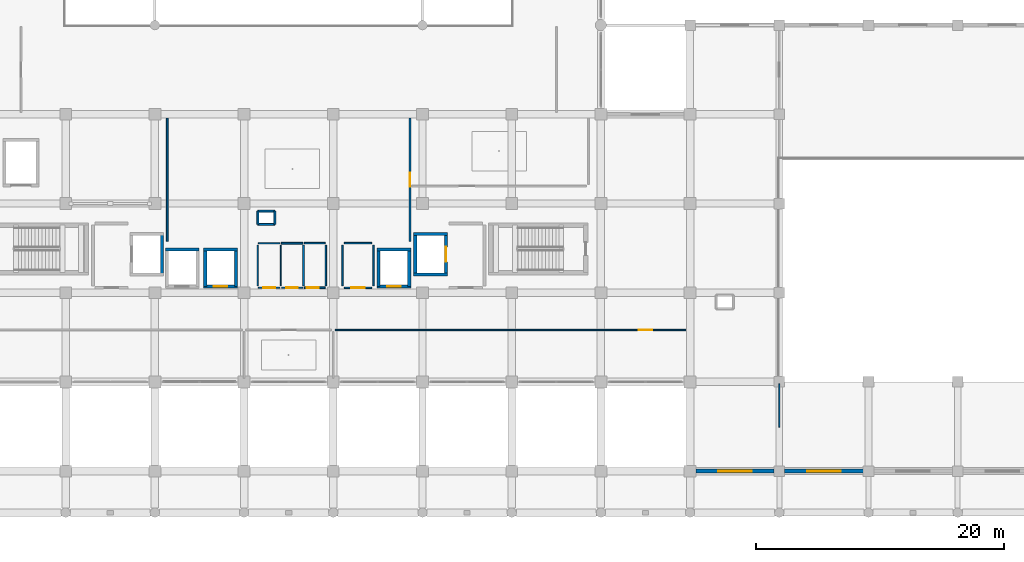
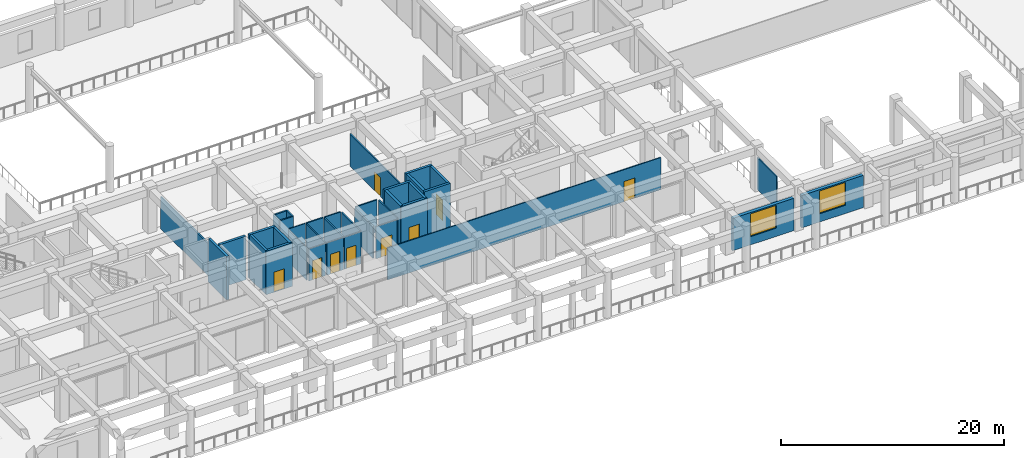
# One storey, part 31 of 54: 38 walls, 9 doors, 2 windows, 11 openings.
"""IFC4 building model written with IfcOpenShell, lengths in metres."""

import ifcopenshell
import ifcopenshell.guid

model = None  # the IFC model being written
_history = None  # IfcOwnerHistory: only IFC2X3 demands one
_inside = {}  # id of a spatial element -> (the spatial element, [elements in it])
_under = {}  # id of a project, library or spatial element -> (it, [spatial elements below it])
_declared = {}  # id of a project -> (the project, [libraries it declares])
_typed = {}  # id of a type object -> (the type object, [elements of that type])
_made_of = {}  # id of a material, layer set ... -> (it, [elements and type objects made of it])


def new_model(schema):
    """Start an empty IFC model of exactly this schema.

    Asked for "IFC4X3", IfcOpenShell would pick the latest addendum, in which some entities
    have other attributes; the version numbers below select the first issue.
    IFC2X3 requires an IfcOwnerHistory on every rooted entity: one is made here for all.
    """
    global model, _history
    if schema == "IFC4X3":
        model = ifcopenshell.file(schema_version=(4, 3, 0, 0))
    else:
        model = ifcopenshell.file(schema=schema)
    _inside.clear()
    _under.clear()
    _declared.clear()
    _typed.clear()
    _made_of.clear()
    _history = None
    if model.schema == "IFC2X3":
        org = make("IfcOrganization", Name="unknown")
        user = make(
            "IfcPersonAndOrganization",
            ThePerson=make("IfcPerson", FamilyName="unknown"),
            TheOrganization=org,
        )
        app = make(
            "IfcApplication",
            ApplicationDeveloper=org,
            Version="unknown",
            ApplicationFullName="unknown",
            ApplicationIdentifier="unknown",
        )
        _history = make(
            "IfcOwnerHistory",
            OwningUser=user,
            OwningApplication=app,
            ChangeAction="ADDED",
            CreationDate=0,
        )
    return model


def make(cls, **values):
    """One entity of the class cls with the attributes given. An attribute that is None is left unset."""
    return model.create_entity(
        cls, **{name: value for name, value in values.items() if value is not None}
    )


def rooted(cls, **values):
    """An entity with a GlobalId (a new one), such as an element, a storey or a relation."""
    return make(cls, GlobalId=ifcopenshell.guid.new(), OwnerHistory=_history, **values)


def si_unit(unit_type, name, prefix=None):
    """IfcSIUnit, for example si_unit("LENGTHUNIT", "METRE", prefix="MILLI")."""
    return make("IfcSIUnit", UnitType=unit_type, Prefix=prefix, Name=name)


def assignment(units):
    """IfcUnitAssignment: the units of a project."""
    return None if units is None else make("IfcUnitAssignment", Units=units)


def point(xyz):
    """IfcCartesianPoint."""
    return None if xyz is None else make("IfcCartesianPoint", Coordinates=xyz)


def direction(xyz):
    """IfcDirection."""
    return None if xyz is None else make("IfcDirection", DirectionRatios=xyz)


def frame(location, z_axis=None, x_axis=None):
    """IfcAxis2Placement3D, a coordinate frame: its origin and axes. An axis left out is left unset."""
    return make(
        "IfcAxis2Placement3D",
        Location=point(location),
        Axis=direction(z_axis),
        RefDirection=direction(x_axis),
    )


def frame_2d(location, x_axis=None):
    """IfcAxis2Placement2D, a coordinate frame in the plane: its origin and x axis."""
    return make(
        "IfcAxis2Placement2D", Location=point(location), RefDirection=direction(x_axis)
    )


def origin():
    """The frame at (0, 0, 0) with its axes left unset."""
    return frame((0.0, 0.0, 0.0))


def place(relative_to, where):
    """IfcLocalPlacement: puts the frame where relative to a parent placement (None: the world)."""
    return make(
        "IfcLocalPlacement", PlacementRelTo=relative_to, RelativePlacement=where
    )


def context(
    kind, dimensions, precision=None, world=None, true_north=None, identifier=None
):
    """IfcGeometricRepresentationContext, for example the 3D "Model" context."""
    return make(
        "IfcGeometricRepresentationContext",
        ContextIdentifier=identifier,
        ContextType=kind,
        CoordinateSpaceDimension=dimensions,
        Precision=precision,
        WorldCoordinateSystem=world,
        TrueNorth=true_north,
    )


def subcontext(parent, identifier, kind, view, scale=None):
    """IfcGeometricRepresentationSubContext, for example "Body" below "Model"."""
    return make(
        "IfcGeometricRepresentationSubContext",
        ContextIdentifier=identifier,
        ContextType=kind,
        ParentContext=parent,
        TargetScale=scale,
        TargetView=view,
    )


def project(units=None, contexts=None):
    """IfcProject with its units and contexts."""
    return rooted(
        "IfcProject",
        Name="project",
        RepresentationContexts=contexts,
        UnitsInContext=assignment(units),
    )


def spatial(cls, under=None, at=None, **own):
    """A site, building, storey or space (cls), placed at a placement, below another one or the project."""
    s = rooted(cls, ObjectPlacement=at, **own)
    if under is not None:
        _under.setdefault(under.id(), (under, []))[1].append(s)
    return s


def profile(cls, at=None, kind="AREA", **sizes):
    """A parametric profile (cls). Its sizes go by their IFC names, for example OverallWidth=200.0."""
    return make(cls, ProfileType=kind, Position=at, **sizes)


def rectangle(**sizes):
    """IfcRectangleProfileDef."""
    return profile("IfcRectangleProfileDef", **sizes)


def extrude(swept, where, along, depth):
    """IfcExtrudedAreaSolid: the profile swept, set in the frame where, extruded along a direction by depth."""
    return make(
        "IfcExtrudedAreaSolid",
        SweptArea=swept,
        Position=where,
        ExtrudedDirection=direction(along),
        Depth=depth,
    )


def shape(context_of_items, identifier, shape_type, items):
    """IfcShapeRepresentation: the items that make up one representation, for example the "Body"."""
    return make(
        "IfcShapeRepresentation",
        ContextOfItems=context_of_items,
        RepresentationIdentifier=identifier,
        RepresentationType=shape_type,
        Items=items,
    )


def material(Name=None, Category=None):
    """IfcMaterial."""
    return make("IfcMaterial", Name=Name, Category=Category)


def layer(
    of_material, thickness, ventilated=None, Name=None, Category=None, Priority=None
):
    """IfcMaterialLayer: one layer of a wall or slab, of a material (None: an air gap)."""
    return make(
        "IfcMaterialLayer",
        Material=of_material,
        LayerThickness=thickness,
        IsVentilated=ventilated,
        Name=Name,
        Category=Category,
        Priority=Priority,
    )


def layer_set(layers, Name=None):
    """IfcMaterialLayerSet."""
    return make("IfcMaterialLayerSet", MaterialLayers=layers, LayerSetName=Name)


def made_of(thing, what):
    """Note that an element or type object is made of a material, layer set ...; save() writes the relation."""
    if what is not None:
        _made_of.setdefault(what.id(), (what, []))[1].append(thing)
    return thing


def type_object(cls, material=None, **own):
    """A type object (cls), such as IfcWallType, which elements share."""
    return made_of(rooted(cls, **own), material)


def element(
    cls,
    number,
    at=None,
    inside=None,
    cuts=None,
    type_object=None,
    material=None,
    context=None,
    identifier="Body",
    shape_type=None,
    held_by="IfcProductDefinitionShape",
    body=None,
    shapes=None,
    **own,
):
    """One element of the class cls, such as IfcWall. Its Tag is "e" and its number.

    at: its placement. inside: the storey or other place that contains it. cuts: it is an
    opening in that element (IfcRelVoidsElement). A single representation is given by context,
    identifier, shape_type and body (its items); several are given by shapes. held_by: the class
    of the entity that holds the representations. save() writes the other relations.
    """
    e = rooted(cls, Tag="e%d" % number, ObjectPlacement=at, **own)
    if body is not None:
        shapes = [shape(context, identifier, shape_type, body)]
    if shapes is not None:
        e.Representation = make(held_by, Representations=shapes)
    if inside is not None:
        _inside.setdefault(inside.id(), (inside, []))[1].append(e)
    if cuts is not None:
        rooted(
            "IfcRelVoidsElement", RelatingBuildingElement=cuts, RelatedOpeningElement=e
        )
    if type_object is not None:
        _typed.setdefault(type_object.id(), (type_object, []))[1].append(e)
    return made_of(e, material)


def fill(opening, filler):
    """IfcRelFillsElement: the door or window that sits in an opening."""
    return rooted(
        "IfcRelFillsElement",
        RelatingOpeningElement=opening,
        RelatedBuildingElement=filler,
    )


def aggregate(whole, parts):
    """IfcRelAggregates: a whole, such as a stair, and the parts it consists of."""
    return rooted("IfcRelAggregates", RelatingObject=whole, RelatedObjects=parts)


def save(model, path):
    """Write the relations noted so far, then the file.

    IfcRelAggregates (storeys below a building ...), IfcRelContainedInSpatialStructure (elements
    in a storey), IfcRelDefinesByType, IfcRelAssociatesMaterial and IfcRelDeclares: one each for
    every whole, place, type object, material and project.
    """
    for whole, parts in _under.values():
        aggregate(whole, parts)
    for where, things in _inside.values():
        rooted(
            "IfcRelContainedInSpatialStructure",
            RelatedElements=things,
            RelatingStructure=where,
        )
    for kind, things in _typed.values():
        rooted("IfcRelDefinesByType", RelatedObjects=things, RelatingType=kind)
    for what, things in _made_of.values():
        rooted("IfcRelAssociatesMaterial", RelatedObjects=things, RelatingMaterial=what)
    for by, libraries in _declared.values():
        rooted("IfcRelDeclares", RelatingContext=by, RelatedDefinitions=libraries)
    model.write(path)


model = new_model("IFC4")

# Units and contexts
model_context = context("Model", 3, precision=1e-05, world=origin(), true_north=direction((0.0, 1.0)))
body_context = subcontext(model_context, "Body", "Model", "MODEL_VIEW")
ifc_project = project(units=[si_unit("LENGTHUNIT", "METRE"), si_unit("AREAUNIT", "SQUARE_METRE"), si_unit("VOLUMEUNIT", "CUBIC_METRE"), si_unit("PLANEANGLEUNIT", "RADIAN"), si_unit("MASSUNIT", "GRAM", prefix="KILO")], contexts=[model_context])

# Site, building, storey
site_placement = place(None, origin())
site = spatial("IfcSite", under=ifc_project, at=site_placement, CompositionType="ELEMENT")
building_placement = place(site_placement, origin())
building = spatial("IfcBuilding", under=site, at=building_placement, Name="Kazehaya Institute of Natural Sciences", CompositionType="ELEMENT")
storey_placement = place(building_placement, frame((0.0, 0.0, 5.39990234375)))
storey = spatial("IfcBuildingStorey", under=building, at=storey_placement, Name="L01", CompositionType="ELEMENT", Elevation=5.39990234375)

# Wall, opening, window
ifc_material_1 = material(Name="Precast concrete Fc36", Category="concrete")
ifc_layer_1 = layer(ifc_material_1, 0.340087890625, Name="Precast concrete Fc36", Category="concrete")
ifc_layer_set_1 = layer_set([ifc_layer_1], Name="Precast concrete Fc36")
wall_type_1 = type_object("IfcWallType", Name="WL-EXT-340", PredefinedType="SOLIDWALL", material=ifc_layer_set_1)
wall_1_placement = place(storey_placement, frame((133.389892578125, 6.800048828125, 0.0), z_axis=(0.0, 0.0, 1.0), x_axis=(-1.0, 0.0, 0.0)))
wall_1 = element("IfcWall", 1, at=wall_1_placement, inside=storey, type_object=wall_type_1, Name="L01 exterior wall EW-L01-0372", PredefinedType="SOLIDWALL", context=body_context, shape_type="SweptSolid", body=[
    extrude(rectangle(XDim=6.3798828125, YDim=0.340087890625, at=frame_2d((3.18994140625, 0.0))), origin(), (0.0, 0.0, 1.0), 3.5400390625),
])
opening_1_placement = place(wall_1_placement, frame((1.840087890625, 0.0, 0.89990234375)))
opening_1 = element("IfcOpeningElement", 2, at=opening_1_placement, cuts=wall_1, Name="Opening W16", PredefinedType="OPENING", context=body_context, shape_type="SweptSolid", body=[
    extrude(rectangle(XDim=2.699951171875, YDim=2.5, at=frame_2d((1.35009765625, 1.25))), frame((0.0, 0.179931640625, 0.0), z_axis=(0.0, -1.0, 0.0), x_axis=(1.0, 0.0, 0.0)), (0.0, 0.0, 1.0), 0.360107421875),
])
ifc_material_2 = material(Name="Low-E double-glazed aluminium window", Category="aluminium")
window_type = type_object("IfcWindowType", Name="WN-16", PartitioningType="DOUBLE_PANEL_VERTICAL", PredefinedType="WINDOW", material=ifc_material_2)
window_1_placement = place(opening_1_placement, origin())
window_1 = element("IfcWindow", 3, at=window_1_placement, inside=storey, type_object=window_type, Name="L01 facade window 0232", OverallHeight=2.5, OverallWidth=2.699951171875, PartitioningType="DOUBLE_PANEL_VERTICAL", PredefinedType="WINDOW", context=body_context, shape_type="SweptSolid", body=[
    extrude(rectangle(XDim=2.699951171875, YDim=2.5, at=frame_2d((1.35009765625, 1.25))), frame((0.0, 0.030029296875, 0.0), z_axis=(0.0, -1.0, 0.0), x_axis=(1.0, 0.0, 0.0)), (0.0, 0.0, 1.0), 0.06005859375),
])
fill(opening_1, window_1)

wall_2_placement = place(storey_placement, frame((126.18994140625, 6.800048828125, 0.0), z_axis=(0.0, 0.0, 1.0), x_axis=(-1.0, 0.0, 0.0)))
wall_2 = element("IfcWall", 4, at=wall_2_placement, inside=storey, type_object=wall_type_1, Name="L01 exterior wall EW-L01-0373", PredefinedType="SOLIDWALL", context=body_context, shape_type="SweptSolid", body=[
    extrude(rectangle(XDim=6.329833984375, YDim=0.340087890625, at=frame_2d((3.1650390625, 0.0))), origin(), (0.0, 0.0, 1.0), 3.5400390625),
])
opening_2_placement = place(wall_2_placement, frame((1.81494140625, 0.0, 0.89990234375)))
opening_2 = element("IfcOpeningElement", 5, at=opening_2_placement, cuts=wall_2, Name="Opening W16", PredefinedType="OPENING", context=body_context, shape_type="SweptSolid", body=[
    extrude(rectangle(XDim=2.699951171875, YDim=2.5, at=frame_2d((1.35009765625, 1.25))), frame((0.0, 0.179931640625, 0.0), z_axis=(0.0, -1.0, 0.0), x_axis=(1.0, 0.0, 0.0)), (0.0, 0.0, 1.0), 0.360107421875),
])
window_2_placement = place(opening_2_placement, origin())
window_2 = element("IfcWindow", 6, at=window_2_placement, inside=storey, type_object=window_type, Name="L01 facade window 0233", OverallHeight=2.5, OverallWidth=2.699951171875, PartitioningType="DOUBLE_PANEL_VERTICAL", PredefinedType="WINDOW", context=body_context, shape_type="SweptSolid", body=[
    extrude(rectangle(XDim=2.699951171875, YDim=2.5, at=frame_2d((1.35009765625, 1.25))), frame((0.0, 0.030029296875, 0.0), z_axis=(0.0, -1.0, 0.0), x_axis=(1.0, 0.0, 0.0)), (0.0, 0.0, 1.0), 0.06005859375),
])
fill(opening_2, window_2)

# Wall, opening, door
ifc_material_3 = material(Name="Lightweight chase partition")
ifc_layer_2 = layer(ifc_material_3, 0.10009765625, Name="Lightweight chase partition")
ifc_layer_set_2 = layer_set([ifc_layer_2], Name="Lightweight chase partition")
wall_type_2 = type_object("IfcWallType", Name="WL-PART-100", PredefinedType="PARTITIONING", material=ifc_layer_set_2)
wall_3_placement = place(storey_placement, frame((86.2900390625, 21.60009765625, 0.0), z_axis=(0.0, 0.0, 1.0), x_axis=(-1.0, 0.0, 0.0)))
wall_3 = element("IfcWall", 7, at=wall_3_placement, inside=storey, type_object=wall_type_2, Name="L01 Male WC partition IW-L01-0086", PredefinedType="PARTITIONING", context=body_context, shape_type="SweptSolid", body=[
    extrude(rectangle(XDim=1.72998046875, YDim=0.10009765625, at=frame_2d((0.864990234375, 0.0))), origin(), (0.0, 0.0, 1.0), 3.52001953125),
])
opening_3_placement = place(wall_3_placement, frame((0.389892578125, 0.0, 0.0)))
opening_3 = element("IfcOpeningElement", 8, at=opening_3_placement, cuts=wall_3, Name="Opening D-L01-0078", PredefinedType="OPENING", context=body_context, shape_type="SweptSolid", body=[
    extrude(rectangle(XDim=0.9599609375, YDim=2.10009765625, at=frame_2d((0.47998046875, 1.050048828125))), frame((0.0, 0.06005859375, 0.0), z_axis=(0.0, -1.0, 0.0), x_axis=(1.0, 0.0, 0.0)), (0.0, 0.0, 1.0), 0.1201171875),
])
ifc_material_4 = material(Name="Flush timber and aluminium laboratory door", Category="wood")
door_type_1 = type_object("IfcDoorType", Name="DT-INT-10", OperationType="NOTDEFINED", PredefinedType="DOOR", material=ifc_material_4)
door_1_placement = place(opening_3_placement, origin())
door_1 = element("IfcDoor", 9, at=door_1_placement, inside=storey, type_object=door_type_1, Name="L01 Male WC door D-L01-0078", OperationType="SINGLE_SWING_RIGHT", OverallHeight=2.10009765625, OverallWidth=0.9599609375, PredefinedType="DOOR", context=body_context, shape_type="SweptSolid", body=[
    extrude(rectangle(XDim=0.9599609375, YDim=2.10009765625, at=frame_2d((0.47998046875, 1.050048828125))), frame((0.0, 0.02490234375, 0.0), z_axis=(0.0, -1.0, 0.0), x_axis=(1.0, 0.0, 0.0)), (0.0, 0.0, 1.0), 0.050048828125),
])
fill(opening_3, door_1)

# Walls
wall_4_placement = place(storey_placement, frame((84.56005859375, 25.199951171875, 0.0), z_axis=(0.0, 0.0, 1.0), x_axis=(1.0, 0.0, 0.0)))
element("IfcWall", 10, at=wall_4_placement, inside=storey, type_object=wall_type_2, Name="L01 Male WC partition IW-L01-0087", PredefinedType="PARTITIONING", context=body_context, shape_type="SweptSolid", body=[
    extrude(rectangle(XDim=1.72998046875, YDim=0.10009765625, at=frame_2d((0.864990234375, 0.0))), origin(), (0.0, 0.0, 1.0), 3.52001953125),
])
for number, where, z_axis, x_axis, name in (
    (11, (84.5, 21.75, 0.0), (0.0, 0.0, 1.0), (0.0, 1.0, 0.0), "L01 Male WC partition IW-L01-0088"),
    (12, (86.35009765625, 25.050048828125, 0.0), (0.0, 0.0, 1.0), (0.0, -1.0, 0.0), "L01 Male WC partition IW-L01-0089"),
):
    element("IfcWall", number, at=place(storey_placement, frame(where, z_axis=z_axis, x_axis=x_axis)), inside=storey, type_object=wall_type_2, Name=name, PredefinedType="PARTITIONING", context=body_context, shape_type="SweptSolid", body=[
        extrude(rectangle(XDim=3.300048828125, YDim=0.10009765625, at=frame_2d((1.64990234375, 0.0))), origin(), (0.0, 0.0, 1.0), 3.52001953125),
    ])

# Wall, opening, door
wall_5_placement = place(storey_placement, frame((90.75, 18.199951171875, 0.0), z_axis=(0.0, 0.0, 1.0), x_axis=(1.0, 0.0, 0.0)))
wall_5 = element("IfcWall", 13, at=wall_5_placement, inside=storey, type_object=wall_type_2, Name="L01 Researcher Write-up Office partition IW-L01-0104", PredefinedType="PARTITIONING", context=body_context, shape_type="SweptSolid", body=[
    extrude(rectangle(XDim=28.300048828125, YDim=0.10009765625, at=frame_2d((14.14990234375, 0.0))), origin(), (0.0, 0.0, 1.0), 3.52001953125),
])
opening_4_placement = place(wall_5_placement, frame((24.4951171875, 0.0, 0.0)))
opening_4 = element("IfcOpeningElement", 14, at=opening_4_placement, cuts=wall_5, Name="Opening D-L01-0084", PredefinedType="OPENING", context=body_context, shape_type="SweptSolid", body=[
    extrude(rectangle(XDim=1.110107421875, YDim=2.219970703125, at=frame_2d((0.55517578125, 1.10986328125))), frame((0.0, 0.06005859375, 0.0), z_axis=(0.0, -1.0, 0.0), x_axis=(1.0, 0.0, 0.0)), (0.0, 0.0, 1.0), 0.1201171875),
])
door_type_2 = type_object("IfcDoorType", Name="DT-INT-28", OperationType="NOTDEFINED", PredefinedType="DOOR", material=ifc_material_4)
door_2_placement = place(opening_4_placement, origin())
door_2 = element("IfcDoor", 15, at=door_2_placement, inside=storey, type_object=door_type_2, Name="L01 Researcher Write-up Office door D-L01-0084", OperationType="SINGLE_SWING_RIGHT", OverallHeight=2.219970703125, OverallWidth=1.110107421875, PredefinedType="DOOR", context=body_context, shape_type="SweptSolid", body=[
    extrude(rectangle(XDim=1.110107421875, YDim=2.219970703125, at=frame_2d((0.55517578125, 1.10986328125))), frame((0.0, 0.02490234375, 0.0), z_axis=(0.0, -1.0, 0.0), x_axis=(1.0, 0.0, 0.0)), (0.0, 0.0, 1.0), 0.050048828125),
])
fill(opening_4, door_2)

# Wall
ifc_material_5 = material(Name="Glazed office demountable partition")
ifc_layer_3 = layer(ifc_material_5, 0.110107421875, Name="Glazed office demountable partition")
ifc_layer_set_3 = layer_set([ifc_layer_3], Name="Glazed office demountable partition")
wall_type_3 = type_object("IfcWallType", Name="WL-PART-110", PredefinedType="PARTITIONING", material=ifc_layer_set_3)
wall_6_placement = place(storey_placement, frame((126.60009765625, 10.35009765625, 0.0), z_axis=(0.0, 0.0, 1.0), x_axis=(0.0, 1.0, 0.0)))
element("IfcWall", 16, at=wall_6_placement, inside=storey, type_object=wall_type_3, Name="L01 Upper Lecture Theatre Tier partition IW-L01-0113", PredefinedType="PARTITIONING", context=body_context, shape_type="SweptSolid", body=[
    extrude(rectangle(XDim=3.5, YDim=0.110107421875, at=frame_2d((1.75, 0.0))), origin(), (0.0, 0.0, 1.0), 3.52001953125),
])

# Wall, opening, door
ifc_material_6 = material(Name="Gypsum write-up office partition", Category="gypsum")
ifc_layer_4 = layer(ifc_material_6, 0.1201171875, Name="Gypsum write-up office partition", Category="gypsum")
ifc_layer_set_4 = layer_set([ifc_layer_4], Name="Gypsum write-up office partition")
wall_type_4 = type_object("IfcWallType", Name="WL-PART-120", PredefinedType="PARTITIONING", material=ifc_layer_set_4)
wall_7_placement = place(storey_placement, frame((93.699951171875, 21.60009765625, 0.0), z_axis=(0.0, 0.0, 1.0), x_axis=(-1.0, 0.0, 0.0)))
wall_7 = element("IfcWall", 17, at=wall_7_placement, inside=storey, type_object=wall_type_4, Name="L01 Ostomate WC partition IW-L01-0096", PredefinedType="PARTITIONING", context=body_context, shape_type="SweptSolid", body=[
    extrude(rectangle(XDim=2.199951171875, YDim=0.1201171875, at=frame_2d((1.10009765625, 0.0))), origin(), (0.0, 0.0, 1.0), 3.52001953125),
])
opening_5_placement = place(wall_7_placement, frame((0.544921875, 0.0, 0.0)))
opening_5 = element("IfcOpeningElement", 18, at=opening_5_placement, cuts=wall_7, Name="Opening D-L01-0081", PredefinedType="OPENING", context=body_context, shape_type="SweptSolid", body=[
    extrude(rectangle(XDim=1.110107421875, YDim=2.050048828125, at=frame_2d((0.55517578125, 1.02490234375))), frame((0.0, 0.070068359375, 0.0), z_axis=(0.0, -1.0, 0.0), x_axis=(1.0, 0.0, 0.0)), (0.0, 0.0, 1.0), 0.14013671875),
])
door_type_3 = type_object("IfcDoorType", Name="DT-INT-25", OperationType="NOTDEFINED", PredefinedType="DOOR", material=ifc_material_4)
door_3_placement = place(opening_5_placement, origin())
door_3 = element("IfcDoor", 19, at=door_3_placement, inside=storey, type_object=door_type_3, Name="L01 Ostomate WC door D-L01-0081", OperationType="SINGLE_SWING_LEFT", OverallHeight=2.050048828125, OverallWidth=1.110107421875, PredefinedType="DOOR", context=body_context, shape_type="SweptSolid", body=[
    extrude(rectangle(XDim=1.110107421875, YDim=2.050048828125, at=frame_2d((0.55517578125, 1.02490234375))), frame((0.0, 0.02490234375, 0.0), z_axis=(0.0, -1.0, 0.0), x_axis=(1.0, 0.0, 0.0)), (0.0, 0.0, 1.0), 0.050048828125),
])
fill(opening_5, door_3)

# Walls
wall_8_placement = place(storey_placement, frame((91.5, 25.199951171875, 0.0), z_axis=(0.0, 0.0, 1.0), x_axis=(1.0, 0.0, 0.0)))
element("IfcWall", 20, at=wall_8_placement, inside=storey, type_object=wall_type_4, Name="L01 Ostomate WC partition IW-L01-0097", PredefinedType="PARTITIONING", context=body_context, shape_type="SweptSolid", body=[
    extrude(rectangle(XDim=2.199951171875, YDim=0.1201171875, at=frame_2d((1.10009765625, 0.0))), origin(), (0.0, 0.0, 1.0), 3.52001953125),
])
for number, where, z_axis, x_axis, name in (
    (21, (91.35009765625, 21.75, 0.0), (0.0, 0.0, 1.0), (0.0, 1.0, 0.0), "L01 Ostomate WC partition IW-L01-0098"),
    (22, (93.85009765625, 25.050048828125, 0.0), (0.0, 0.0, 1.0), (0.0, -1.0, 0.0), "L01 Ostomate WC partition IW-L01-0099"),
):
    element("IfcWall", number, at=place(storey_placement, frame(where, z_axis=z_axis, x_axis=x_axis)), inside=storey, type_object=wall_type_4, Name=name, PredefinedType="PARTITIONING", context=body_context, shape_type="SweptSolid", body=[
        extrude(rectangle(XDim=3.300048828125, YDim=0.1201171875, at=frame_2d((1.64990234375, 0.0))), origin(), (0.0, 0.0, 1.0), 3.52001953125),
    ])

# Wall, opening, door
ifc_material_7 = material(Name="Moisture-resistant WC partition")
ifc_layer_5 = layer(ifc_material_7, 0.1298828125, Name="Moisture-resistant WC partition")
ifc_layer_set_5 = layer_set([ifc_layer_5], Name="Moisture-resistant WC partition")
wall_type_5 = type_object("IfcWallType", Name="WL-PART-130", PredefinedType="PARTITIONING", material=ifc_layer_set_5)
wall_9_placement = place(storey_placement, frame((89.93994140625, 21.60009765625, 0.0), z_axis=(0.0, 0.0, 1.0), x_axis=(-1.0, 0.0, 0.0)))
wall_9 = element("IfcWall", 23, at=wall_9_placement, inside=storey, type_object=wall_type_5, Name="L01 Accessible WC partition IW-L01-0093", PredefinedType="PARTITIONING", context=body_context, shape_type="SweptSolid", body=[
    extrude(rectangle(XDim=1.679931640625, YDim=0.1298828125, at=frame_2d((0.83984375, 0.0))), origin(), (0.0, 0.0, 1.0), 3.52001953125),
])
opening_6_placement = place(wall_9_placement, frame((0.510009765625, 0.0, 0.0)))
opening_6 = element("IfcOpeningElement", 24, at=opening_6_placement, cuts=wall_9, Name="Opening D-L01-0080", PredefinedType="OPENING", context=body_context, shape_type="SweptSolid", body=[
    extrude(rectangle(XDim=0.9599609375, YDim=2.219970703125, at=frame_2d((0.47998046875, 1.10986328125))), frame((0.0, 0.074951171875, 0.0), z_axis=(0.0, -1.0, 0.0), x_axis=(1.0, 0.0, 0.0)), (0.0, 0.0, 1.0), 0.14990234375),
])
door_type_4 = type_object("IfcDoorType", Name="DT-INT-12", OperationType="NOTDEFINED", PredefinedType="DOOR", material=ifc_material_4)
door_4_placement = place(opening_6_placement, origin())
door_4 = element("IfcDoor", 25, at=door_4_placement, inside=storey, type_object=door_type_4, Name="L01 Accessible WC door D-L01-0080", OperationType="SINGLE_SWING_RIGHT", OverallHeight=2.219970703125, OverallWidth=0.9599609375, PredefinedType="DOOR", context=body_context, shape_type="SweptSolid", body=[
    extrude(rectangle(XDim=0.9599609375, YDim=2.219970703125, at=frame_2d((0.47998046875, 1.10986328125))), frame((0.0, 0.02490234375, 0.0), z_axis=(0.0, -1.0, 0.0), x_axis=(1.0, 0.0, 0.0)), (0.0, 0.0, 1.0), 0.050048828125),
])
fill(opening_6, door_4)

# Walls
wall_10_placement = place(storey_placement, frame((88.260009765625, 25.199951171875, 0.0), z_axis=(0.0, 0.0, 1.0), x_axis=(1.0, 0.0, 0.0)))
element("IfcWall", 26, at=wall_10_placement, inside=storey, type_object=wall_type_5, Name="L01 Accessible WC partition IW-L01-0094", PredefinedType="PARTITIONING", context=body_context, shape_type="SweptSolid", body=[
    extrude(rectangle(XDim=1.679931640625, YDim=0.1298828125, at=frame_2d((0.83984375, 0.0))), origin(), (0.0, 0.0, 1.0), 3.52001953125),
])
wall_11_placement = place(storey_placement, frame((90.0, 25.050048828125, 0.0), z_axis=(0.0, 0.0, 1.0), x_axis=(0.0, -1.0, 0.0)))
element("IfcWall", 27, at=wall_11_placement, inside=storey, type_object=wall_type_5, Name="L01 Accessible WC partition IW-L01-0095", PredefinedType="PARTITIONING", context=body_context, shape_type="SweptSolid", body=[
    extrude(rectangle(XDim=3.300048828125, YDim=0.1298828125, at=frame_2d((1.64990234375, 0.0))), origin(), (0.0, 0.0, 1.0), 3.52001953125),
])

# Wall, opening, door
ifc_material_8 = material(Name="Gypsum partition", Category="gypsum")
ifc_layer_6 = layer(ifc_material_8, 0.139892578125, Name="Gypsum partition", Category="gypsum")
ifc_layer_set_6 = layer_set([ifc_layer_6], Name="Gypsum partition")
wall_type_6 = type_object("IfcWallType", Name="WL-PART-140", PredefinedType="PARTITIONING", material=ifc_layer_set_6)
wall_12_placement = place(storey_placement, frame((88.139892578125, 21.60009765625, 0.0), z_axis=(0.0, 0.0, 1.0), x_axis=(-1.0, 0.0, 0.0)))
wall_12 = element("IfcWall", 28, at=wall_12_placement, inside=storey, type_object=wall_type_6, Name="L01 Female WC partition IW-L01-0090", PredefinedType="PARTITIONING", context=body_context, shape_type="SweptSolid", body=[
    extrude(rectangle(XDim=1.72998046875, YDim=0.139892578125, at=frame_2d((0.864990234375, 0.0))), origin(), (0.0, 0.0, 1.0), 3.52001953125),
])
opening_7_placement = place(wall_12_placement, frame((0.389892578125, 0.0, 0.0)))
opening_7 = element("IfcOpeningElement", 29, at=opening_7_placement, cuts=wall_12, Name="Opening D-L01-0079", PredefinedType="OPENING", context=body_context, shape_type="SweptSolid", body=[
    extrude(rectangle(XDim=0.9599609375, YDim=2.159912109375, at=frame_2d((0.47998046875, 1.080078125))), frame((0.0, 0.079833984375, 0.0), z_axis=(0.0, -1.0, 0.0), x_axis=(1.0, 0.0, 0.0)), (0.0, 0.0, 1.0), 0.159912109375),
])
door_type_5 = type_object("IfcDoorType", Name="DT-INT-11", OperationType="NOTDEFINED", PredefinedType="DOOR", material=ifc_material_4)
door_5_placement = place(opening_7_placement, origin())
door_5 = element("IfcDoor", 30, at=door_5_placement, inside=storey, type_object=door_type_5, Name="L01 Female WC door D-L01-0079", OperationType="SINGLE_SWING_LEFT", OverallHeight=2.159912109375, OverallWidth=0.9599609375, PredefinedType="DOOR", context=body_context, shape_type="SweptSolid", body=[
    extrude(rectangle(XDim=0.9599609375, YDim=2.159912109375, at=frame_2d((0.47998046875, 1.080078125))), frame((0.0, 0.02490234375, 0.0), z_axis=(0.0, -1.0, 0.0), x_axis=(1.0, 0.0, 0.0)), (0.0, 0.0, 1.0), 0.050048828125),
])
fill(opening_7, door_5)

# Walls
wall_13_placement = place(storey_placement, frame((86.409912109375, 25.199951171875, 0.0), z_axis=(0.0, 0.0, 1.0), x_axis=(1.0, 0.0, 0.0)))
element("IfcWall", 31, at=wall_13_placement, inside=storey, type_object=wall_type_6, Name="L01 Female WC partition IW-L01-0091", PredefinedType="PARTITIONING", context=body_context, shape_type="SweptSolid", body=[
    extrude(rectangle(XDim=1.72998046875, YDim=0.139892578125, at=frame_2d((0.864990234375, 0.0))), origin(), (0.0, 0.0, 1.0), 3.52001953125),
])
wall_14_placement = place(storey_placement, frame((88.199951171875, 25.050048828125, 0.0), z_axis=(0.0, 0.0, 1.0), x_axis=(0.0, -1.0, 0.0)))
element("IfcWall", 32, at=wall_14_placement, inside=storey, type_object=wall_type_6, Name="L01 Female WC partition IW-L01-0092", PredefinedType="PARTITIONING", context=body_context, shape_type="SweptSolid", body=[
    extrude(rectangle(XDim=3.300048828125, YDim=0.139892578125, at=frame_2d((1.64990234375, 0.0))), origin(), (0.0, 0.0, 1.0), 3.52001953125),
])
wall_15_placement = place(storey_placement, frame((77.199951171875, 25.35009765625, 0.0), z_axis=(0.0, 0.0, 1.0), x_axis=(0.0, 1.0, 0.0)))
element("IfcWall", 33, at=wall_15_placement, inside=storey, type_object=wall_type_6, Name="L01 Cell Culture Laboratory partition IW-L01-0105", PredefinedType="PARTITIONING", context=body_context, shape_type="SweptSolid", body=[
    extrude(rectangle(XDim=9.949951171875, YDim=0.139892578125, at=frame_2d((4.97509765625, 0.0))), origin(), (0.0, 0.0, 1.0), 3.52001953125),
])

# Wall, opening, door
wall_16_placement = place(storey_placement, frame((96.800048828125, 35.300048828125, 0.0), z_axis=(0.0, 0.0, 1.0), x_axis=(0.0, -1.0, 0.0)))
wall_16 = element("IfcWall", 34, at=wall_16_placement, inside=storey, type_object=wall_type_6, Name="L01 Cell Culture Laboratory partition IW-L01-0106", PredefinedType="PARTITIONING", context=body_context, shape_type="SweptSolid", body=[
    extrude(rectangle(XDim=9.949951171875, YDim=0.139892578125, at=frame_2d((4.97509765625, 0.0))), origin(), (0.0, 0.0, 1.0), 3.52001953125),
])
opening_8_placement = place(wall_16_placement, frame((4.39990234375, 0.0, 0.0)))
opening_8 = element("IfcOpeningElement", 35, at=opening_8_placement, cuts=wall_16, Name="Opening D-L01-0085", PredefinedType="OPENING", context=body_context, shape_type="SweptSolid", body=[
    extrude(rectangle(XDim=1.14990234375, YDim=2.050048828125, at=frame_2d((0.574951171875, 1.02490234375))), frame((0.0, 0.079833984375, 0.0), z_axis=(0.0, -1.0, 0.0), x_axis=(1.0, 0.0, 0.0)), (0.0, 0.0, 1.0), 0.159912109375),
])
door_type_6 = type_object("IfcDoorType", Name="DT-INT-29", OperationType="NOTDEFINED", PredefinedType="DOOR", material=ifc_material_4)
door_6_placement = place(opening_8_placement, origin())
door_6 = element("IfcDoor", 36, at=door_6_placement, inside=storey, type_object=door_type_6, Name="L01 Cell Culture Laboratory door D-L01-0085", OperationType="SINGLE_SWING_LEFT", OverallHeight=2.050048828125, OverallWidth=1.14990234375, PredefinedType="DOOR", context=body_context, shape_type="SweptSolid", body=[
    extrude(rectangle(XDim=1.14990234375, YDim=2.050048828125, at=frame_2d((0.574951171875, 1.02490234375))), frame((0.0, 0.02490234375, 0.0), z_axis=(0.0, -1.0, 0.0), x_axis=(1.0, 0.0, 0.0)), (0.0, 0.0, 1.0), 0.050048828125),
])
fill(opening_8, door_6)

# Walls
ifc_material_9 = material(Name="Concrete Fc36", Category="concrete")
ifc_layer_7 = layer(ifc_material_9, 0.14990234375, Name="Concrete Fc36", Category="concrete")
ifc_layer_set_7 = layer_set([ifc_layer_7], Name="Concrete Fc36")
wall_type_7 = type_object("IfcWallType", Name="WL-RISER-150", PredefinedType="PARTITIONING", material=ifc_layer_set_7)
for number, where, z_axis, x_axis, name in (
    (37, (85.885009765625, 26.715087890625, 0.0), (0.0, 0.0, 1.0), (-1.0, 0.0, 0.0), "L01 fume exhaust riser shaft wall 18"),
    (38, (84.514892578125, 27.784912109375, 0.0), (0.0, 0.0, 1.0), (1.0, 0.0, 0.0), "L01 fume exhaust riser shaft wall 18"),
):
    element("IfcWall", number, at=place(storey_placement, frame(where, z_axis=z_axis, x_axis=x_axis)), inside=storey, type_object=wall_type_7, Name=name, PredefinedType="PARTITIONING", context=body_context, shape_type="SweptSolid", body=[
        extrude(rectangle(XDim=1.3701171875, YDim=0.14990234375, at=frame_2d((0.68505859375, 0.0))), origin(), (0.0, 0.0, 1.0), 3.52001953125),
    ])
for number, where, z_axis, x_axis, name in (
    (39, (84.514892578125, 26.715087890625, 0.0), (0.0, 0.0, 1.0), (0.0, 1.0, 0.0), "L01 fume exhaust riser shaft wall 18"),
    (40, (85.885009765625, 27.784912109375, 0.0), (0.0, 0.0, 1.0), (0.0, -1.0, 0.0), "L01 fume exhaust riser shaft wall 18"),
):
    element("IfcWall", number, at=place(storey_placement, frame(where, z_axis=z_axis, x_axis=x_axis)), inside=storey, type_object=wall_type_7, Name=name, PredefinedType="PARTITIONING", context=body_context, shape_type="SweptSolid", body=[
        extrude(rectangle(XDim=1.06982421875, YDim=0.14990234375, at=frame_2d((0.534912109375, 0.0))), origin(), (0.0, 0.0, 1.0), 3.52001953125),
    ])
ifc_material_10 = material(Name="Concrete Fc42", Category="concrete")
ifc_layer_8 = layer(ifc_material_10, 0.25, Name="Concrete Fc42", Category="concrete")
ifc_layer_set_8 = layer_set([ifc_layer_8], Name="Concrete Fc42")
wall_type_8 = type_object("IfcWallType", Name="WL-SHAFT-250", PredefinedType="SHEAR", material=ifc_layer_set_8)
wall_17_placement = place(storey_placement, frame((76.784912109375, 25.93505859375, 0.0), z_axis=(0.0, 0.0, 1.0), x_axis=(0.0, -1.0, 0.0)))
element("IfcWall", 41, at=wall_17_placement, inside=storey, type_object=wall_type_8, Name="L01 EL07 lift shaft wall east", PredefinedType="SHEAR", context=body_context, shape_type="SweptSolid", body=[
    extrude(rectangle(XDim=3.27001953125, YDim=0.25, at=frame_2d((1.635009765625, 0.0))), origin(), (0.0, 0.0, 1.0), 4.77001953125),
])
for number, where, z_axis, x_axis, name in (
    (42, (99.81005859375, 22.6650390625, 0.0), (0.0, 0.0, 1.0), (-1.0, 0.0, 0.0), "L01 EL08 lift shaft wall south"),
    (43, (97.090087890625, 25.93505859375, 0.0), (0.0, 0.0, 1.0), (1.0, 0.0, 0.0), "L01 EL08 lift shaft wall north"),
):
    element("IfcWall", number, at=place(storey_placement, frame(where, z_axis=z_axis, x_axis=x_axis)), inside=storey, type_object=wall_type_8, Name=name, PredefinedType="SHEAR", context=body_context, shape_type="SweptSolid", body=[
        extrude(rectangle(XDim=2.719970703125, YDim=0.25, at=frame_2d((1.35986328125, 0.0))), origin(), (0.0, 0.0, 1.0), 4.77001953125),
    ])
wall_18_placement = place(storey_placement, frame((97.215087890625, 22.6650390625, 0.0), z_axis=(0.0, 0.0, 1.0), x_axis=(0.0, 1.0, 0.0)))
element("IfcWall", 44, at=wall_18_placement, inside=storey, type_object=wall_type_8, Name="L01 EL08 lift shaft wall west", PredefinedType="SHEAR", context=body_context, shape_type="SweptSolid", body=[
    extrude(rectangle(XDim=3.27001953125, YDim=0.25, at=frame_2d((1.635009765625, 0.0))), origin(), (0.0, 0.0, 1.0), 4.77001953125),
])

# Wall, opening, door
wall_19_placement = place(storey_placement, frame((99.68505859375, 25.93505859375, 0.0), z_axis=(0.0, 0.0, 1.0), x_axis=(0.0, -1.0, 0.0)))
wall_19 = element("IfcWall", 45, at=wall_19_placement, inside=storey, type_object=wall_type_8, Name="L01 EL08 lift shaft wall east", PredefinedType="SHEAR", context=body_context, shape_type="SweptSolid", body=[
    extrude(rectangle(XDim=3.27001953125, YDim=0.25, at=frame_2d((1.635009765625, 0.0))), origin(), (0.0, 0.0, 1.0), 4.77001953125),
])
opening_9_placement = place(wall_19_placement, frame((1.034912109375, 0.0, 0.0)))
opening_9 = element("IfcOpeningElement", 46, at=opening_9_placement, cuts=wall_19, Name="Opening LD-14", PredefinedType="OPENING", context=body_context, shape_type="SweptSolid", body=[
    extrude(rectangle(XDim=1.199951171875, YDim=2.25, at=frame_2d((0.60009765625, 1.125))), frame((0.0, 0.135009765625, 0.0), z_axis=(0.0, -1.0, 0.0), x_axis=(1.0, 0.0, 0.0)), (0.0, 0.0, 1.0), 0.27001953125),
])
ifc_material_11 = material(Name="Stainless-steel emergency lift landing door", Category="steel")
door_type_7 = type_object("IfcDoorType", Name="DT-LD-1200x2250", OperationType="SLIDING_TO_LEFT", PredefinedType="DOOR", material=ifc_material_11)
door_7_placement = place(opening_9_placement, origin())
door_7 = element("IfcDoor", 47, at=door_7_placement, inside=storey, type_object=door_type_7, Name="L01 EL08 sliding landing door LD-14", OperationType="SLIDING_TO_LEFT", OverallHeight=2.25, OverallWidth=1.199951171875, PredefinedType="DOOR", context=body_context, shape_type="SweptSolid", body=[
    extrude(rectangle(XDim=1.199951171875, YDim=2.25, at=frame_2d((0.60009765625, 1.125))), frame((0.0, 0.02490234375, 0.0), z_axis=(0.0, -1.0, 0.0), x_axis=(1.0, 0.0, 0.0)), (0.0, 0.0, 1.0), 0.050048828125),
])
fill(opening_9, door_7)

# Wall
wall_20_placement = place(storey_placement, frame((77.0400390625, 24.68505859375, 0.0), z_axis=(0.0, 0.0, 1.0), x_axis=(1.0, 0.0, 0.0)))
element("IfcWall", 48, at=wall_20_placement, inside=storey, type_object=wall_type_8, Name="L01 EL01 lift shaft wall north", PredefinedType="SHEAR", context=body_context, shape_type="SweptSolid", body=[
    extrude(rectangle(XDim=2.719970703125, YDim=0.25, at=frame_2d((1.35986328125, 0.0))), origin(), (0.0, 0.0, 1.0), 4.77001953125),
])

# Wall, opening, door
wall_21_placement = place(storey_placement, frame((82.860107421875, 21.715087890625, 0.0), z_axis=(0.0, 0.0, 1.0), x_axis=(-1.0, 0.0, 0.0)))
wall_21 = element("IfcWall", 49, at=wall_21_placement, inside=storey, type_object=wall_type_8, Name="L01 EL02 lift shaft wall south", PredefinedType="SHEAR", context=body_context, shape_type="SweptSolid", body=[
    extrude(rectangle(XDim=2.72021484375, YDim=0.25, at=frame_2d((1.360107421875, 0.0))), origin(), (0.0, 0.0, 1.0), 4.77001953125),
])
opening_10_placement = place(wall_21_placement, frame((0.81005859375, 0.0, 0.0)))
opening_10 = element("IfcOpeningElement", 50, at=opening_10_placement, cuts=wall_21, Name="Opening LD-36", PredefinedType="OPENING", context=body_context, shape_type="SweptSolid", body=[
    extrude(rectangle(XDim=1.10009765625, YDim=2.199951171875, at=frame_2d((0.550048828125, 1.10009765625))), frame((0.0, 0.135009765625, 0.0), z_axis=(0.0, -1.0, 0.0), x_axis=(1.0, 0.0, 0.0)), (0.0, 0.0, 1.0), 0.27001953125),
])
ifc_material_12 = material(Name="Stainless-steel sliding landing door", Category="steel")
door_type_8 = type_object("IfcDoorType", Name="DT-LD-1100x2200", OperationType="SLIDING_TO_LEFT", PredefinedType="DOOR", material=ifc_material_12)
door_8_placement = place(opening_10_placement, origin())
door_8 = element("IfcDoor", 51, at=door_8_placement, inside=storey, type_object=door_type_8, Name="L01 EL02 sliding landing door LD-36", OperationType="SLIDING_TO_LEFT", OverallHeight=2.199951171875, OverallWidth=1.10009765625, PredefinedType="DOOR", context=body_context, shape_type="SweptSolid", body=[
    extrude(rectangle(XDim=1.10009765625, YDim=2.199951171875, at=frame_2d((0.550048828125, 1.10009765625))), frame((0.0, 0.02490234375, 0.0), z_axis=(0.0, -1.0, 0.0), x_axis=(1.0, 0.0, 0.0)), (0.0, 0.0, 1.0), 0.050048828125),
])
fill(opening_10, door_8)

# Walls
wall_22_placement = place(storey_placement, frame((80.139892578125, 24.68505859375, 0.0), z_axis=(0.0, 0.0, 1.0), x_axis=(1.0, 0.0, 0.0)))
element("IfcWall", 52, at=wall_22_placement, inside=storey, type_object=wall_type_8, Name="L01 EL02 lift shaft wall north", PredefinedType="SHEAR", context=body_context, shape_type="SweptSolid", body=[
    extrude(rectangle(XDim=2.72021484375, YDim=0.25, at=frame_2d((1.360107421875, 0.0))), origin(), (0.0, 0.0, 1.0), 4.77001953125),
])
for number, where, z_axis, x_axis, name in (
    (53, (80.264892578125, 21.715087890625, 0.0), (0.0, 0.0, 1.0), (0.0, 1.0, 0.0), "L01 EL02 lift shaft wall west"),
    (54, (82.735107421875, 24.68505859375, 0.0), (0.0, 0.0, 1.0), (0.0, -1.0, 0.0), "L01 EL02 lift shaft wall east"),
):
    element("IfcWall", number, at=place(storey_placement, frame(where, z_axis=z_axis, x_axis=x_axis)), inside=storey, type_object=wall_type_8, Name=name, PredefinedType="SHEAR", context=body_context, shape_type="SweptSolid", body=[
        extrude(rectangle(XDim=2.969970703125, YDim=0.25, at=frame_2d((1.48486328125, 0.0))), origin(), (0.0, 0.0, 1.0), 4.77001953125),
    ])

# Wall, opening, door
wall_23_placement = place(storey_placement, frame((96.860107421875, 21.715087890625, 0.0), z_axis=(0.0, 0.0, 1.0), x_axis=(-1.0, 0.0, 0.0)))
wall_23 = element("IfcWall", 55, at=wall_23_placement, inside=storey, type_object=wall_type_8, Name="L01 EL03 lift shaft wall south", PredefinedType="SHEAR", context=body_context, shape_type="SweptSolid", body=[
    extrude(rectangle(XDim=2.72021484375, YDim=0.25, at=frame_2d((1.360107421875, 0.0))), origin(), (0.0, 0.0, 1.0), 4.77001953125),
])
opening_11_placement = place(wall_23_placement, frame((0.81005859375, 0.0, 0.0)))
opening_11 = element("IfcOpeningElement", 56, at=opening_11_placement, cuts=wall_23, Name="Opening LD-47", PredefinedType="OPENING", context=body_context, shape_type="SweptSolid", body=[
    extrude(rectangle(XDim=1.10009765625, YDim=2.199951171875, at=frame_2d((0.550048828125, 1.10009765625))), frame((0.0, 0.135009765625, 0.0), z_axis=(0.0, -1.0, 0.0), x_axis=(1.0, 0.0, 0.0)), (0.0, 0.0, 1.0), 0.27001953125),
])
door_9_placement = place(opening_11_placement, origin())
door_9 = element("IfcDoor", 57, at=door_9_placement, inside=storey, type_object=door_type_8, Name="L01 EL03 sliding landing door LD-47", OperationType="SLIDING_TO_LEFT", OverallHeight=2.199951171875, OverallWidth=1.10009765625, PredefinedType="DOOR", context=body_context, shape_type="SweptSolid", body=[
    extrude(rectangle(XDim=1.10009765625, YDim=2.199951171875, at=frame_2d((0.550048828125, 1.10009765625))), frame((0.0, 0.02490234375, 0.0), z_axis=(0.0, -1.0, 0.0), x_axis=(1.0, 0.0, 0.0)), (0.0, 0.0, 1.0), 0.050048828125),
])
fill(opening_11, door_9)

# Walls
wall_24_placement = place(storey_placement, frame((94.139892578125, 24.68505859375, 0.0), z_axis=(0.0, 0.0, 1.0), x_axis=(1.0, 0.0, 0.0)))
element("IfcWall", 58, at=wall_24_placement, inside=storey, type_object=wall_type_8, Name="L01 EL03 lift shaft wall north", PredefinedType="SHEAR", context=body_context, shape_type="SweptSolid", body=[
    extrude(rectangle(XDim=2.72021484375, YDim=0.25, at=frame_2d((1.360107421875, 0.0))), origin(), (0.0, 0.0, 1.0), 4.77001953125),
])
for number, where, z_axis, x_axis, name in (
    (59, (94.264892578125, 21.715087890625, 0.0), (0.0, 0.0, 1.0), (0.0, 1.0, 0.0), "L01 EL03 lift shaft wall west"),
    (60, (96.735107421875, 24.68505859375, 0.0), (0.0, 0.0, 1.0), (0.0, -1.0, 0.0), "L01 EL03 lift shaft wall east"),
):
    element("IfcWall", number, at=place(storey_placement, frame(where, z_axis=z_axis, x_axis=x_axis)), inside=storey, type_object=wall_type_8, Name=name, PredefinedType="SHEAR", context=body_context, shape_type="SweptSolid", body=[
        extrude(rectangle(XDim=2.969970703125, YDim=0.25, at=frame_2d((1.48486328125, 0.0))), origin(), (0.0, 0.0, 1.0), 4.77001953125),
    ])

save(model, "model.ifc")
